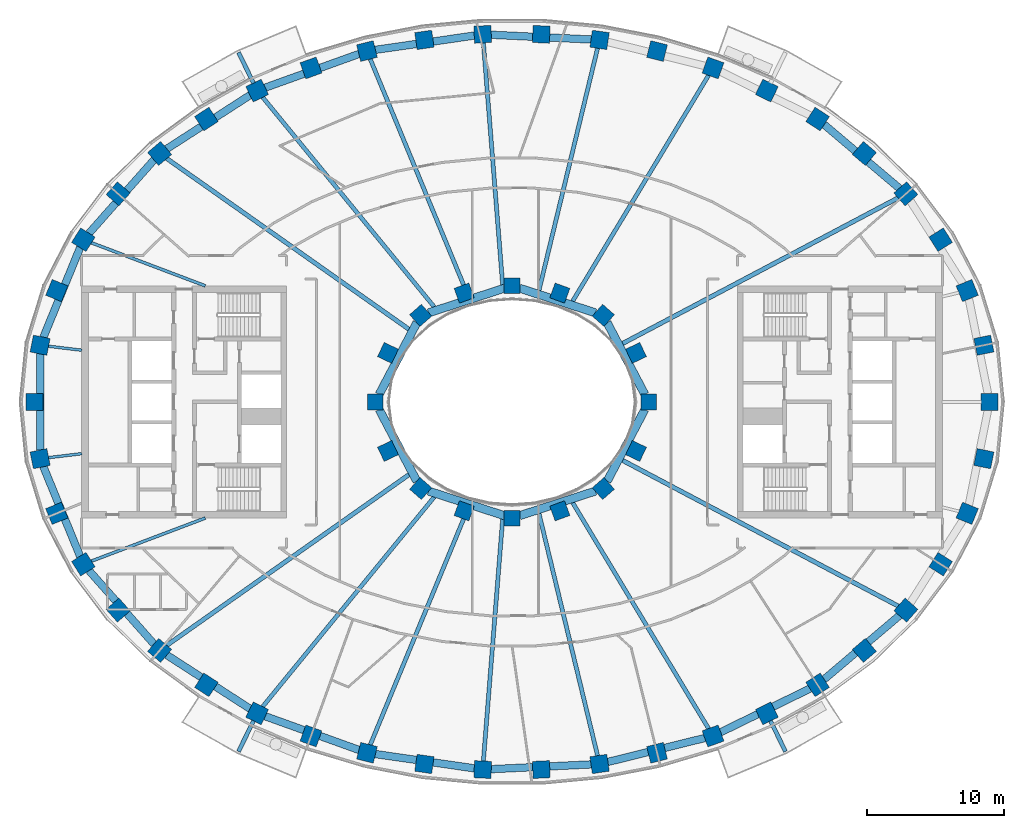
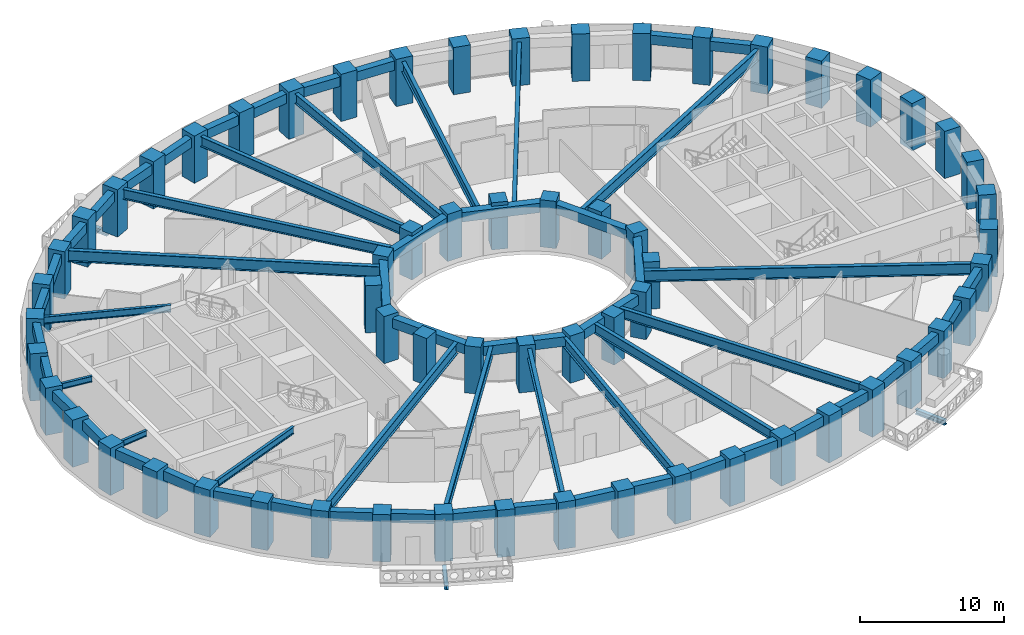
# One storey, part 1 of 16: 62 columns, 46 beams.
"""IFC4 building model written with IfcOpenShell, lengths in metres."""

from ifc_helpers import new_model, si_unit, direction, frame, origin, origin_2d, place, context, subcontext, project, spatial, rectangle, i_section, extrude, material, material_profile, profile_set, type_object, element, save


model = new_model("IFC4")

# Units and contexts
model_context = context("Model", 3, precision=1e-05, world=origin(), true_north=direction((0.0, 1.0)))
body_context = subcontext(model_context, "Body", "Model", "MODEL_VIEW")
ifc_project = project(units=[si_unit("LENGTHUNIT", "METRE"), si_unit("AREAUNIT", "SQUARE_METRE"), si_unit("VOLUMEUNIT", "CUBIC_METRE"), si_unit("PLANEANGLEUNIT", "RADIAN"), si_unit("MASSUNIT", "GRAM", prefix="KILO")], contexts=[model_context])

# Site, building, storey
site_placement = place(None, origin())
site = spatial("IfcSite", under=ifc_project, at=site_placement, CompositionType="ELEMENT")
building_placement = place(site_placement, origin())
building = spatial("IfcBuilding", under=site, at=building_placement, Name="Noorbagh Ring Tower", CompositionType="ELEMENT")
storey_placement = place(building_placement, frame((0.0, 0.0, 116.0)))
storey = spatial("IfcBuildingStorey", under=building, at=storey_placement, Name="L26", CompositionType="ELEMENT", Elevation=116.0)

# Columns
ifc_material_1 = material(Name="Concrete C60/75", Category="concrete")
ifc_material_profile_1 = material_profile(ifc_material_1, rectangle(XDim=1.25, YDim=1.25, at=origin_2d()), Name="RC1250x1250")
ifc_profile_set_1 = profile_set([ifc_material_profile_1], Name="Concrete C60/75")
column_type_1 = type_object("IfcColumnType", Name="STR-COL-RC1250x1250-C60-75", PredefinedType="COLUMN", material=ifc_profile_set_1)
for number, where, z_axis, x_axis, name in (
    (1, (34.944580078125, 0.0, 0.0), (0.0, 0.0, 1.0), (0.0, 1.0, 0.0), "L26/col/R1-01"),
    (2, (34.52685546875, 4.150634765625, 0.0), (0.0, 0.0, 1.0), (-0.19723040178, 0.9803571638, 0.0), "L26/col/R1-02"),
    (3, (33.30517578125, 8.1494140625, 0.0), (0.0, 0.0, 1.0), (-0.378989499959, 0.925400971969, 0.0), "L26/col/R1-03"),
    (4, (31.364990234375, 11.87109375, 0.0), (0.0, 0.0, 1.0), (-0.535190403059, 0.844731455833, 0.0), "L26/col/R1-04"),
    (5, (28.81884765625, 15.23046875, 0.0), (0.0, 0.0, 1.0), (-0.662635642662, 0.748941923699, 0.0), "L26/col/R1-05"),
    (6, (25.78271484375, 18.180419921875, 0.0), (0.0, 0.0, 1.0), (-0.763035199656, 0.646356932419, 0.0), "L26/col/R1-06"),
    (7, (22.362060546875, 20.699951171875, 0.0), (0.0, 0.0, 1.0), (-0.840247639643, 0.542202825586, 0.0), "L26/col/R1-07"),
    (8, (18.646240234375, 22.785400390625, 0.0), (0.0, 0.0, 1.0), (-0.898399080868, 0.439180021741, 0.0), "L26/col/R1-08"),
    (9, (14.70947265625, 24.44091796875, 0.0), (0.0, 0.0, 1.0), (-0.941024726094, 0.338337797003, 0.0), "L26/col/R1-09"),
    (10, (10.61328125, 25.673583984375, 0.0), (0.0, 0.0, 1.0), (-0.970829360981, 0.239771457553, 0.0), "L26/col/R1-10"),
    (11, (6.4091796875, 26.49072265625, 0.0), (0.0, 0.0, 1.0), (-0.989713114048, 0.143066249975, 0.0), "L26/col/R1-11"),
    (12, (2.14306640625, 26.89794921875, 0.0), (0.0, 0.0, 1.0), (-0.998868731212, 0.047552684538, 0.0), "L26/col/R1-12"),
    (13, (-2.14306640625, 26.89794921875, 0.0), (0.0, 0.0, 1.0), (-0.998868731212, -0.047552684538, 0.0), "L26/col/R1-13"),
    (14, (-6.4091796875, 26.49072265625, 0.0), (0.0, 0.0, 1.0), (-0.989713114048, -0.143066249975, 0.0), "L26/col/R1-14"),
    (15, (-10.61328125, 25.673583984375, 0.0), (0.0, 0.0, 1.0), (-0.970829360981, -0.239771457553, 0.0), "L26/col/R1-15"),
    (16, (-14.70947265625, 24.44091796875, 0.0), (0.0, 0.0, 1.0), (-0.941024726094, -0.338337797003, 0.0), "L26/col/R1-16"),
    (17, (-18.646240234375, 22.785400390625, 0.0), (0.0, 0.0, 1.0), (-0.898399080868, -0.439180021741, 0.0), "L26/col/R1-17"),
    (18, (-22.362060546875, 20.699951171875, 0.0), (0.0, 0.0, 1.0), (-0.840247639643, -0.542202825586, 0.0), "L26/col/R1-18"),
    (19, (-25.78271484375, 18.180419921875, 0.0), (0.0, 0.0, 1.0), (-0.763035199656, -0.646356932419, 0.0), "L26/col/R1-19"),
    (20, (-28.81884765625, 15.23046875, 0.0), (0.0, 0.0, 1.0), (-0.662635642662, -0.748941923699, 0.0), "L26/col/R1-20"),
    (21, (-31.364990234375, 11.87109375, 0.0), (0.0, 0.0, 1.0), (-0.535190403059, -0.844731455833, 0.0), "L26/col/R1-21"),
    (22, (-33.30517578125, 8.1494140625, 0.0), (0.0, 0.0, 1.0), (-0.378989499959, -0.925400971969, 0.0), "L26/col/R1-22"),
    (23, (-34.52685546875, 4.150634765625, 0.0), (0.0, 0.0, 1.0), (-0.19723040178, -0.9803571638, 0.0), "L26/col/R1-23"),
    (24, (-34.944580078125, 0.0, 0.0), (0.0, 0.0, 1.0), (0.0, -1.0, 0.0), "L26/col/R1-24"),
    (25, (-34.52685546875, -4.150634765625, 0.0), (0.0, 0.0, 1.0), (0.19723040178, -0.9803571638, 0.0), "L26/col/R1-25"),
    (26, (-33.30517578125, -8.1494140625, 0.0), (0.0, 0.0, 1.0), (0.378989499959, -0.925400971969, 0.0), "L26/col/R1-26"),
    (27, (-31.364990234375, -11.87109375, 0.0), (0.0, 0.0, 1.0), (0.535190403059, -0.844731455833, 0.0), "L26/col/R1-27"),
    (28, (-28.81884765625, -15.23046875, 0.0), (0.0, 0.0, 1.0), (0.662635642662, -0.748941923699, 0.0), "L26/col/R1-28"),
    (29, (-25.78271484375, -18.180419921875, 0.0), (0.0, 0.0, 1.0), (0.763035199656, -0.646356932419, 0.0), "L26/col/R1-29"),
    (30, (-22.362060546875, -20.699951171875, 0.0), (0.0, 0.0, 1.0), (0.840247639643, -0.542202825586, 0.0), "L26/col/R1-30"),
    (31, (-18.646240234375, -22.785400390625, 0.0), (0.0, 0.0, 1.0), (0.898399080868, -0.439180021741, 0.0), "L26/col/R1-31"),
    (32, (-14.70947265625, -24.44091796875, 0.0), (0.0, 0.0, 1.0), (0.941024726094, -0.338337797003, 0.0), "L26/col/R1-32"),
    (33, (-10.61328125, -25.673583984375, 0.0), (0.0, 0.0, 1.0), (0.970829360981, -0.239771457553, 0.0), "L26/col/R1-33"),
    (34, (-6.4091796875, -26.49072265625, 0.0), (0.0, 0.0, 1.0), (0.989713114048, -0.143066249975, 0.0), "L26/col/R1-34"),
    (35, (-2.14306640625, -26.89794921875, 0.0), (0.0, 0.0, 1.0), (0.998868731212, -0.047552684538, 0.0), "L26/col/R1-35"),
    (36, (2.14306640625, -26.89794921875, 0.0), (0.0, 0.0, 1.0), (0.998868731212, 0.047552684538, 0.0), "L26/col/R1-36"),
    (37, (6.4091796875, -26.49072265625, 0.0), (0.0, 0.0, 1.0), (0.989713114048, 0.143066249975, 0.0), "L26/col/R1-37"),
    (38, (10.61328125, -25.673583984375, 0.0), (0.0, 0.0, 1.0), (0.970829360981, 0.239771457553, 0.0), "L26/col/R1-38"),
    (39, (14.70947265625, -24.44091796875, 0.0), (0.0, 0.0, 1.0), (0.941024726094, 0.338337797003, 0.0), "L26/col/R1-39"),
    (40, (18.646240234375, -22.785400390625, 0.0), (0.0, 0.0, 1.0), (0.898399080868, 0.439180021741, 0.0), "L26/col/R1-40"),
    (41, (22.362060546875, -20.699951171875, 0.0), (0.0, 0.0, 1.0), (0.840247639643, 0.542202825586, 0.0), "L26/col/R1-41"),
    (42, (25.78271484375, -18.180419921875, 0.0), (0.0, 0.0, 1.0), (0.763035199656, 0.646356932419, 0.0), "L26/col/R1-42"),
    (43, (28.81884765625, -15.23046875, 0.0), (0.0, 0.0, 1.0), (0.662635642662, 0.748941923699, 0.0), "L26/col/R1-43"),
    (44, (31.364990234375, -11.87109375, 0.0), (0.0, 0.0, 1.0), (0.535190403059, 0.844731455833, 0.0), "L26/col/R1-44"),
    (45, (33.30517578125, -8.1494140625, 0.0), (0.0, 0.0, 1.0), (0.378989499959, 0.925400971969, 0.0), "L26/col/R1-45"),
    (46, (34.52685546875, -4.150634765625, 0.0), (0.0, 0.0, 1.0), (0.19723040178, 0.9803571638, 0.0), "L26/col/R1-46"),
):
    element("IfcColumn", number, at=place(storey_placement, frame(where, z_axis=z_axis, x_axis=x_axis)), inside=storey, type_object=column_type_1, Name=name, PredefinedType="COLUMN", context=body_context, shape_type="SweptSolid", body=[
        extrude(rectangle(XDim=1.25, YDim=1.25, at=origin_2d()), origin(), (0.0, 0.0, 1.0), 4.0),
    ])
ifc_material_2 = material(Name="Concrete C60/75", Category="concrete")
ifc_material_profile_2 = material_profile(ifc_material_2, rectangle(XDim=1.14990234375, YDim=1.14990234375, at=origin_2d()), Name="RC1150x1150")
ifc_profile_set_2 = profile_set([ifc_material_profile_2], Name="Concrete C60/75")
column_type_2 = type_object("IfcColumnType", Name="STR-ICOL-RC1150x1150-C60-75", PredefinedType="COLUMN", material=ifc_profile_set_2)
for number, where, z_axis, x_axis, name in (
    (47, (10.00830078125, 0.0, 0.0), (0.0, 0.0, 1.0), (0.0, 1.0, 0.0), "L26/col/IR2-W01"),
    (48, (9.07568359375, 3.58837890625, 0.0), (0.0, 0.0, 1.0), (-0.428666979171, 0.903462573087, 0.0), "L26/col/IR2-W03"),
    (49, (6.68212890625, 6.333740234375, 0.0), (0.0, 0.0, 1.0), (-0.75102249095, 0.660276622399, 0.0), "L26/col/IR2-W05"),
    (50, (3.5009765625, 7.967041015625, 0.0), (0.0, 0.0, 1.0), (-0.939019578916, 0.343863679984, 0.0), "L26/col/IR2-W07"),
    (51, (0.0, 8.5029296875, 0.0), (0.0, 0.0, 1.0), (-1.0, 0.0, 0.0), "L26/col/IR2-W09"),
    (52, (-3.5009765625, 7.967041015625, 0.0), (0.0, 0.0, 1.0), (-0.939019578916, -0.343863679984, 0.0), "L26/col/IR2-W11"),
    (53, (-6.68212890625, 6.333740234375, 0.0), (0.0, 0.0, 1.0), (-0.75102249095, -0.660276622399, 0.0), "L26/col/IR2-W13"),
    (54, (-9.07568359375, 3.58837890625, 0.0), (0.0, 0.0, 1.0), (-0.428666979171, -0.903462573087, 0.0), "L26/col/IR2-W15"),
    (55, (-10.00830078125, 0.0, 0.0), (0.0, 0.0, 1.0), (0.0, -1.0, 0.0), "L26/col/IR2-W17"),
    (56, (-9.07568359375, -3.58837890625, 0.0), (0.0, 0.0, 1.0), (0.428666979171, -0.903462573087, 0.0), "L26/col/IR2-W19"),
    (57, (-6.68212890625, -6.333740234375, 0.0), (0.0, 0.0, 1.0), (0.75102249095, -0.660276622399, 0.0), "L26/col/IR2-W21"),
    (58, (-3.5009765625, -7.967041015625, 0.0), (0.0, 0.0, 1.0), (0.939019578916, -0.343863679984, 0.0), "L26/col/IR2-W23"),
    (59, (0.0, -8.5029296875, 0.0), (0.0, 0.0, 1.0), (1.0, 0.0, 0.0), "L26/col/IR2-W25"),
    (60, (3.5009765625, -7.967041015625, 0.0), (0.0, 0.0, 1.0), (0.939019578916, 0.343863679984, 0.0), "L26/col/IR2-W27"),
    (61, (6.68212890625, -6.333740234375, 0.0), (0.0, 0.0, 1.0), (0.75102249095, 0.660276622399, 0.0), "L26/col/IR2-W29"),
    (62, (9.07568359375, -3.58837890625, 0.0), (0.0, 0.0, 1.0), (0.428666979171, 0.903462573087, 0.0), "L26/col/IR2-W31"),
):
    element("IfcColumn", number, at=place(storey_placement, frame(where, z_axis=z_axis, x_axis=x_axis)), inside=storey, type_object=column_type_2, Name=name, PredefinedType="COLUMN", context=body_context, shape_type="SweptSolid", body=[
        extrude(rectangle(XDim=1.14990234375, YDim=1.14990234375, at=origin_2d()), origin(), (0.0, 0.0, 1.0), 4.0),
    ])

# Beams
ifc_material_3 = material(Name="Steel S355", Category="steel")
ifc_material_profile_3 = material_profile(ifc_material_3, i_section(OverallWidth=0.300048828125, OverallDepth=0.39990234375, WebThickness=0.013427734375, FlangeThickness=0.02392578125, FilletRadius=0.027099609375, at=origin_2d()), Name="HEB400")
ifc_profile_set_3 = profile_set([ifc_material_profile_3], Name="Steel S355")
beam_type_1 = type_object("IfcBeamType", Name="STR-BALCONY-BRACKET-HEB400", PredefinedType="BEAM", material=ifc_profile_set_3)
for number, where, z_axis, x_axis, name in (
    (63, (-18.912109375, 23.328857421875, -0.5), (-0.439227645789, 0.898375798413, 0.0), (-0.898375798413, -0.439227645789, 0.0), "Balcony bracket beam BN05"),
    (64, (-18.912109375, -23.328857421875, -0.5), (-0.439227645789, -0.898375798413, 0.0), (0.898375798413, -0.439227645789, 0.0), "Balcony bracket beam BS02"),
    (65, (18.912109375, -23.328857421875, -0.5), (0.439227645789, -0.898375798413, 0.0), (0.898375798413, 0.439227645789, 0.0), "Balcony bracket beam BS05"),
):
    element("IfcBeam", number, at=place(storey_placement, frame(where, z_axis=z_axis, x_axis=x_axis)), inside=storey, type_object=beam_type_1, Name=name, PredefinedType="BEAM", context=body_context, shape_type="SweptSolid", body=[
        extrude(i_section(OverallWidth=0.300048828125, OverallDepth=0.39990234375, WebThickness=0.013427734375, FlangeThickness=0.02392578125, FilletRadius=0.027099609375, at=origin_2d()), origin(), (0.0, 0.0, 1.0), 2.500244140625),
    ])
ifc_material_4 = material(Name="Steel S355", Category="steel")
ifc_material_profile_4 = material_profile(ifc_material_4, i_section(OverallWidth=0.199951171875, OverallDepth=0.5, WebThickness=0.01025390625, FlangeThickness=0.01611328125, FilletRadius=0.02099609375, at=origin_2d()), Name="IPE500")
ifc_profile_set_4 = profile_set([ifc_material_profile_4], Name="Steel S355")
beam_type_2 = type_object("IfcBeamType", Name="STR-RAD-IPE500", PredefinedType="BEAM", material=ifc_profile_set_4)
for number, where, z_axis, x_axis, name in (
    (66, (-33.924072265625, 4.078125, 3.449951171875), (0.992855702759, -0.119321219822, 0.0), (0.119321219822, 0.992855702759, 0.0), "L26/bm/RD23"),
    (67, (-33.924072265625, -4.078125, 3.449951171875), (0.992855702759, 0.119321219822, 0.0), (-0.119321219822, 0.992855702759, 0.0), "L26/bm/RD25"),
):
    element("IfcBeam", number, at=place(storey_placement, frame(where, z_axis=z_axis, x_axis=x_axis)), inside=storey, type_object=beam_type_2, Name=name, PredefinedType="BEAM", context=body_context, shape_type="SweptSolid", body=[
        extrude(i_section(OverallWidth=0.199951171875, OverallDepth=0.5, WebThickness=0.01025390625, FlangeThickness=0.01611328125, FilletRadius=0.02099609375, at=origin_2d()), origin(), (0.0, 0.0, 1.0), 2.46142578125),
    ])
ifc_material_5 = material(Name="Steel S355", Category="steel")
ifc_material_profile_5 = material_profile(ifc_material_5, i_section(OverallWidth=0.219970703125, OverallDepth=0.60009765625, WebThickness=0.011962890625, FlangeThickness=0.01904296875, FilletRadius=0.02392578125, at=origin_2d()), Name="IPE600")
ifc_profile_set_5 = profile_set([ifc_material_profile_5], Name="Steel S355")
beam_type_3 = type_object("IfcBeamType", Name="STR-RAD-IPE600", PredefinedType="BEAM", material=ifc_profile_set_5)
for number, where, z_axis, x_axis, name in (
    (68, (-30.786865234375, 11.652099609375, 3.39990234375), (0.935256889456, -0.353969703117, 0.0), (0.353969703117, 0.935256889456, 0.0), "L26/bm/RD21"),
    (69, (-30.786865234375, -11.652099609375, 3.39990234375), (0.935256889456, 0.353969703117, 0.0), (-0.353969703117, 0.935256889456, 0.0), "L26/bm/RD27"),
):
    element("IfcBeam", number, at=place(storey_placement, frame(where, z_axis=z_axis, x_axis=x_axis)), inside=storey, type_object=beam_type_3, Name=name, PredefinedType="BEAM", context=body_context, shape_type="SweptSolid", body=[
        extrude(i_section(OverallWidth=0.219970703125, OverallDepth=0.60009765625, WebThickness=0.011962890625, FlangeThickness=0.01904296875, FilletRadius=0.02392578125, at=origin_2d()), origin(), (0.0, 0.0, 1.0), 8.925048828125),
    ])
ifc_material_6 = material(Name="Steel S355", Category="steel")
ifc_material_profile_6 = material_profile(ifc_material_6, i_section(OverallWidth=0.300048828125, OverallDepth=0.85009765625, WebThickness=0.013916015625, FlangeThickness=0.028076171875, at=origin_2d()), Name="PG850x300x14x28")
ifc_profile_set_6 = profile_set([ifc_material_profile_6], Name="Steel S355")
beam_type_4 = type_object("IfcBeamType", Name="STR-RAD-PG850x300x14x28", PredefinedType="BEAM", material=ifc_profile_set_6)
beam_1_placement = place(storey_placement, frame((14.39111328125, 23.912109375, 3.27490234375), z_axis=(-0.515649393851, -0.856799686403, 0.0), x_axis=(0.856799686403, -0.515649393851, 0.0)))
element("IfcBeam", 70, at=beam_1_placement, inside=storey, type_object=beam_type_4, Name="L26/bm/RD09", PredefinedType="BEAM", context=body_context, shape_type="SweptSolid", body=[
    extrude(i_section(OverallWidth=0.300048828125, OverallDepth=0.85009765625, WebThickness=0.013916015625, FlangeThickness=0.028076171875, at=origin_2d()), origin(), (0.0, 0.0, 1.0), 19.318603515625),
])
beam_2_placement = place(storey_placement, frame((6.266357421875, 25.900146484375, 3.27490234375), z_axis=(-0.235162116431, -0.971956161046, 0.0), x_axis=(0.971956161046, -0.235162116431, 0.0)))
element("IfcBeam", 71, at=beam_2_placement, inside=storey, type_object=beam_type_4, Name="L26/bm/RD11", PredefinedType="BEAM", context=body_context, shape_type="SweptSolid", body=[
    extrude(i_section(OverallWidth=0.300048828125, OverallDepth=0.85009765625, WebThickness=0.013916015625, FlangeThickness=0.028076171875, at=origin_2d()), origin(), (0.0, 0.0, 1.0), 18.25537109375),
])
beam_3_placement = place(storey_placement, frame((-2.09521484375, 26.294677734375, 3.27490234375), z_axis=(0.079430227558, -0.996840428027, 0.0), x_axis=(0.996840428027, 0.079430227558, 0.0)))
element("IfcBeam", 72, at=beam_3_placement, inside=storey, type_object=beam_type_4, Name="L26/bm/RD13", PredefinedType="BEAM", context=body_context, shape_type="SweptSolid", body=[
    extrude(i_section(OverallWidth=0.300048828125, OverallDepth=0.85009765625, WebThickness=0.013916015625, FlangeThickness=0.028076171875, at=origin_2d()), origin(), (0.0, 0.0, 1.0), 17.77490234375),
])
beam_4_placement = place(storey_placement, frame((-10.37939453125, 25.10791015625, 3.27490234375), z_axis=(0.382033251653, -0.924148578223, 0.0), x_axis=(0.924148578223, 0.382033251653, 0.0)))
element("IfcBeam", 73, at=beam_4_placement, inside=storey, type_object=beam_type_4, Name="L26/bm/RD15", PredefinedType="BEAM", context=body_context, shape_type="SweptSolid", body=[
    extrude(i_section(OverallWidth=0.300048828125, OverallDepth=0.85009765625, WebThickness=0.013916015625, FlangeThickness=0.028076171875, at=origin_2d()), origin(), (0.0, 0.0, 1.0), 18.775390625),
])
for number, where, z_axis, x_axis, name in (
    (74, (-18.252197265625, 22.303955078125, 3.27490234375), (0.633304807385, -0.773902462163, 0.0), (0.773902462163, 0.633304807385, 0.0), "L26/bm/RD17"),
    (75, (-18.252197265625, -22.303955078125, 3.27490234375), (0.633304807385, 0.773902462163, 0.0), (-0.773902462163, 0.633304807385, 0.0), "L26/bm/RD31"),
):
    element("IfcBeam", number, at=place(storey_placement, frame(where, z_axis=z_axis, x_axis=x_axis)), inside=storey, type_object=beam_type_4, Name=name, PredefinedType="BEAM", context=body_context, shape_type="SweptSolid", body=[
        extrude(i_section(OverallWidth=0.300048828125, OverallDepth=0.85009765625, WebThickness=0.013916015625, FlangeThickness=0.028076171875, at=origin_2d()), origin(), (0.0, 0.0, 1.0), 19.837158203125),
    ])
beam_5_placement = place(storey_placement, frame((-10.37939453125, -25.10791015625, 3.27490234375), z_axis=(0.382033251653, 0.924148578223, 0.0), x_axis=(-0.924148578223, 0.382033251653, 0.0)))
element("IfcBeam", 76, at=beam_5_placement, inside=storey, type_object=beam_type_4, Name="L26/bm/RD33", PredefinedType="BEAM", context=body_context, shape_type="SweptSolid", body=[
    extrude(i_section(OverallWidth=0.300048828125, OverallDepth=0.85009765625, WebThickness=0.013916015625, FlangeThickness=0.028076171875, at=origin_2d()), origin(), (0.0, 0.0, 1.0), 18.775390625),
])
beam_6_placement = place(storey_placement, frame((-2.09521484375, -26.294677734375, 3.27490234375), z_axis=(0.079430227558, 0.996840428027, 0.0), x_axis=(-0.996840428027, 0.079430227558, 0.0)))
element("IfcBeam", 77, at=beam_6_placement, inside=storey, type_object=beam_type_4, Name="L26/bm/RD35", PredefinedType="BEAM", context=body_context, shape_type="SweptSolid", body=[
    extrude(i_section(OverallWidth=0.300048828125, OverallDepth=0.85009765625, WebThickness=0.013916015625, FlangeThickness=0.028076171875, at=origin_2d()), origin(), (0.0, 0.0, 1.0), 17.77490234375),
])
beam_7_placement = place(storey_placement, frame((6.266357421875, -25.900146484375, 3.27490234375), z_axis=(-0.235162116431, 0.971956161046, 0.0), x_axis=(-0.971956161046, -0.235162116431, 0.0)))
element("IfcBeam", 78, at=beam_7_placement, inside=storey, type_object=beam_type_4, Name="L26/bm/RD37", PredefinedType="BEAM", context=body_context, shape_type="SweptSolid", body=[
    extrude(i_section(OverallWidth=0.300048828125, OverallDepth=0.85009765625, WebThickness=0.013916015625, FlangeThickness=0.028076171875, at=origin_2d()), origin(), (0.0, 0.0, 1.0), 18.25537109375),
])
beam_8_placement = place(storey_placement, frame((14.39111328125, -23.912109375, 3.27490234375), z_axis=(-0.515649393851, 0.856799686403, 0.0), x_axis=(-0.856799686403, -0.515649393851, 0.0)))
element("IfcBeam", 79, at=beam_8_placement, inside=storey, type_object=beam_type_4, Name="L26/bm/RD39", PredefinedType="BEAM", context=body_context, shape_type="SweptSolid", body=[
    extrude(i_section(OverallWidth=0.300048828125, OverallDepth=0.85009765625, WebThickness=0.013916015625, FlangeThickness=0.028076171875, at=origin_2d()), origin(), (0.0, 0.0, 1.0), 19.318603515625),
])
ifc_material_7 = material(Name="Steel S355", Category="steel")
ifc_material_profile_7 = material_profile(ifc_material_7, i_section(OverallWidth=0.320068359375, OverallDepth=0.949951171875, WebThickness=0.01611328125, FlangeThickness=0.030029296875, at=origin_2d()), Name="PG950x320x16x30")
ifc_profile_set_7 = profile_set([ifc_material_profile_7], Name="Steel S355")
beam_type_5 = type_object("IfcBeamType", Name="STR-RAD-PG950x320x16x30", PredefinedType="BEAM", material=ifc_profile_set_7)
beam_9_placement = place(storey_placement, frame((28.267822265625, 14.939453125, 3.22509765625), z_axis=(-0.884118542568, -0.467262669906, 0.0), x_axis=(0.467262669906, -0.884118542568, 0.0)))
element("IfcBeam", 80, at=beam_9_placement, inside=storey, type_object=beam_type_5, Name="L26/bm/RD05", PredefinedType="BEAM", context=body_context, shape_type="SweptSolid", body=[
    extrude(i_section(OverallWidth=0.320068359375, OverallDepth=0.949951171875, WebThickness=0.01611328125, FlangeThickness=0.030029296875, at=origin_2d()), origin(), (0.0, 0.0, 1.0), 22.831787109375),
])
for number, where, z_axis, x_axis, name in (
    (81, (-25.271484375, 17.81982421875, 3.22509765625), (0.817255824505, -0.57627503617, 0.0), (0.57627503617, 0.817255824505, 0.0), "L26/bm/RD19"),
    (82, (-25.271484375, -17.81982421875, 3.22509765625), (0.817255824505, 0.57627503617, 0.0), (-0.57627503617, 0.817255824505, 0.0), "L26/bm/RD29"),
):
    element("IfcBeam", number, at=place(storey_placement, frame(where, z_axis=z_axis, x_axis=x_axis)), inside=storey, type_object=beam_type_5, Name=name, PredefinedType="BEAM", context=body_context, shape_type="SweptSolid", body=[
        extrude(i_section(OverallWidth=0.320068359375, OverallDepth=0.949951171875, WebThickness=0.01611328125, FlangeThickness=0.030029296875, at=origin_2d()), origin(), (0.0, 0.0, 1.0), 21.702880859375),
    ])
beam_10_placement = place(storey_placement, frame((28.267822265625, -14.939453125, 3.22509765625), z_axis=(-0.884118542568, 0.467262669906, 0.0), x_axis=(-0.467262669906, -0.884118542568, 0.0)))
element("IfcBeam", 83, at=beam_10_placement, inside=storey, type_object=beam_type_5, Name="L26/bm/RD43", PredefinedType="BEAM", context=body_context, shape_type="SweptSolid", body=[
    extrude(i_section(OverallWidth=0.320068359375, OverallDepth=0.949951171875, WebThickness=0.01611328125, FlangeThickness=0.030029296875, at=origin_2d()), origin(), (0.0, 0.0, 1.0), 22.831787109375),
])
ifc_material_8 = material(Name="Concrete C40/50", Category="concrete")
ifc_material_profile_8 = material_profile(ifc_material_8, rectangle(XDim=0.60009765625, YDim=0.800048828125, at=origin_2d()), Name="RC600x800")
ifc_profile_set_8 = profile_set([ifc_material_profile_8], Name="Concrete C40/50")
beam_type_6 = type_object("IfcBeamType", Name="STR-RB-RC600x800-C40-50", PredefinedType="BEAM", material=ifc_profile_set_8)
beam_11_placement = place(storey_placement, frame((9.7158203125, 0.557373046875, 3.300048828125), z_axis=(-0.464946878947, 0.885338579165, 0.0), x_axis=(-0.885338579165, -0.464946878947, 0.0)))
element("IfcBeam", 84, at=beam_11_placement, inside=storey, type_object=beam_type_6, Name="L26/bm/RG01", PredefinedType="BEAM", context=body_context, shape_type="SweptSolid", body=[
    extrude(rectangle(XDim=0.60009765625, YDim=0.800048828125, at=origin_2d()), origin(), (0.0, 0.0, 1.0), 5.9287109375),
])
for number, where, z_axis, x_axis, name in (
    (85, (6.10546875, 6.52099609375, 3.300048828125), (-0.951151772647, 0.308723671576, 0.0), (-0.308723671576, -0.951151772647, 0.0), "L26/bm/RG03"),
    (86, (-0.555908203125, 8.322265625, 3.300048828125), (-0.951151772647, -0.308723671576, 0.0), (0.308723671576, -0.951151772647, 0.0), "L26/bm/RG05"),
):
    element("IfcBeam", number, at=place(storey_placement, frame(where, z_axis=z_axis, x_axis=x_axis)), inside=storey, type_object=beam_type_6, Name=name, PredefinedType="BEAM", context=body_context, shape_type="SweptSolid", body=[
        extrude(rectangle(XDim=0.60009765625, YDim=0.800048828125, at=origin_2d()), origin(), (0.0, 0.0, 1.0), 5.83447265625),
    ])
for number, where, z_axis, x_axis, name in (
    (87, (-6.959228515625, 5.806396484375, 3.300048828125), (-0.464946878947, -0.885338579165, 0.0), (0.885338579165, -0.464946878947, 0.0), "L26/bm/RG07"),
    (88, (-9.7158203125, -0.557373046875, 3.300048828125), (0.464946878947, -0.885338579165, 0.0), (0.885338579165, 0.464946878947, 0.0), "L26/bm/RG09"),
):
    element("IfcBeam", number, at=place(storey_placement, frame(where, z_axis=z_axis, x_axis=x_axis)), inside=storey, type_object=beam_type_6, Name=name, PredefinedType="BEAM", context=body_context, shape_type="SweptSolid", body=[
        extrude(rectangle(XDim=0.60009765625, YDim=0.800048828125, at=origin_2d()), origin(), (0.0, 0.0, 1.0), 5.9287109375),
    ])
for number, where, z_axis, x_axis, name in (
    (89, (-6.10546875, -6.52099609375, 3.300048828125), (0.951151772647, -0.308723671576, 0.0), (0.308723671576, 0.951151772647, 0.0), "L26/bm/RG11"),
    (90, (0.555908203125, -8.322265625, 3.300048828125), (0.951151772647, 0.308723671576, 0.0), (-0.308723671576, 0.951151772647, 0.0), "L26/bm/RG13"),
):
    element("IfcBeam", number, at=place(storey_placement, frame(where, z_axis=z_axis, x_axis=x_axis)), inside=storey, type_object=beam_type_6, Name=name, PredefinedType="BEAM", context=body_context, shape_type="SweptSolid", body=[
        extrude(rectangle(XDim=0.60009765625, YDim=0.800048828125, at=origin_2d()), origin(), (0.0, 0.0, 1.0), 5.83447265625),
    ])
beam_12_placement = place(storey_placement, frame((6.959228515625, -5.806396484375, 3.300048828125), z_axis=(0.464946878947, 0.885338579165, 0.0), x_axis=(-0.885338579165, 0.464946878947, 0.0)))
element("IfcBeam", 91, at=beam_12_placement, inside=storey, type_object=beam_type_6, Name="L26/bm/RG15", PredefinedType="BEAM", context=body_context, shape_type="SweptSolid", body=[
    extrude(rectangle(XDim=0.60009765625, YDim=0.800048828125, at=origin_2d()), origin(), (0.0, 0.0, 1.0), 5.9287109375),
])
ifc_material_9 = material(Name="Concrete C40/50", Category="concrete")
ifc_material_profile_9 = material_profile(ifc_material_9, rectangle(XDim=0.550048828125, YDim=0.800048828125, at=origin_2d()), Name="RC550x800")
ifc_profile_set_9 = profile_set([ifc_material_profile_9], Name="Concrete C40/50")
beam_type_7 = type_object("IfcBeamType", Name="STR-SB-RC550x800-C40-50", PredefinedType="BEAM", material=ifc_profile_set_9)
beam_13_placement = place(storey_placement, frame((28.352294921875, 15.625732421875, 3.300048828125), z_axis=(-0.76304723731, 0.646342721498, 0.0), x_axis=(-0.646342721498, -0.76304723731, 0.0)))
element("IfcBeam", 92, at=beam_13_placement, inside=storey, type_object=beam_type_7, Name="L26/bm/SP05", PredefinedType="BEAM", context=body_context, shape_type="SweptSolid", body=[
    extrude(rectangle(XDim=0.550048828125, YDim=0.800048828125, at=origin_2d()), origin(), (0.0, 0.0, 1.0), 7.240234375),
])
beam_14_placement = place(storey_placement, frame((5.802001953125, 26.519775390625, 3.300048828125), z_axis=(-0.998868588799, 0.047555675902, 0.0), x_axis=(-0.047555675902, -0.998868588799, 0.0)))
element("IfcBeam", 93, at=beam_14_placement, inside=storey, type_object=beam_type_7, Name="L26/bm/SP11", PredefinedType="BEAM", context=body_context, shape_type="SweptSolid", body=[
    extrude(rectangle(XDim=0.550048828125, YDim=0.800048828125, at=origin_2d()), origin(), (0.0, 0.0, 1.0), 7.346435546875),
])
beam_15_placement = place(storey_placement, frame((-2.744873046875, 26.81103515625, 3.300048828125), z_axis=(-0.989710679794, -0.143083088804, 0.0), x_axis=(0.143083088804, -0.989710679794, 0.0)))
element("IfcBeam", 94, at=beam_15_placement, inside=storey, type_object=beam_type_7, Name="L26/bm/SP13", PredefinedType="BEAM", context=body_context, shape_type="SweptSolid", body=[
    extrude(rectangle(XDim=0.550048828125, YDim=0.800048828125, at=origin_2d()), origin(), (0.0, 0.0, 1.0), 7.342041015625),
])
beam_16_placement = place(storey_placement, frame((-11.185546875, 25.4677734375, 3.300048828125), z_axis=(-0.941032743566, -0.33831549704, 0.0), x_axis=(0.33831549704, -0.941032743566, 0.0)))
element("IfcBeam", 95, at=beam_16_placement, inside=storey, type_object=beam_type_7, Name="L26/bm/SP15", PredefinedType="BEAM", context=body_context, shape_type="SweptSolid", body=[
    extrude(rectangle(XDim=0.550048828125, YDim=0.800048828125, at=origin_2d()), origin(), (0.0, 0.0, 1.0), 7.319580078125),
])
beam_17_placement = place(storey_placement, frame((-19.158447265625, 22.455078125, 3.300048828125), z_axis=(-0.840240413794, -0.542214023267, 0.0), x_axis=(0.542214023267, -0.840240413794, 0.0)))
element("IfcBeam", 96, at=beam_17_placement, inside=storey, type_object=beam_type_7, Name="L26/bm/SP17", PredefinedType="BEAM", context=body_context, shape_type="SweptSolid", body=[
    extrude(rectangle(XDim=0.550048828125, YDim=0.800048828125, at=origin_2d()), origin(), (0.0, 0.0, 1.0), 7.273681640625),
])
beam_18_placement = place(storey_placement, frame((-26.18798828125, 17.722412109375, 3.300048828125), z_axis=(-0.662621438295, -0.748954490948, 0.0), x_axis=(0.748954490948, -0.662621438295, 0.0)))
element("IfcBeam", 97, at=beam_18_placement, inside=storey, type_object=beam_type_7, Name="L26/bm/SP19", PredefinedType="BEAM", context=body_context, shape_type="SweptSolid", body=[
    extrude(rectangle(XDim=0.550048828125, YDim=0.800048828125, at=origin_2d()), origin(), (0.0, 0.0, 1.0), 7.19970703125),
])
beam_19_placement = place(storey_placement, frame((-31.597900390625, 11.302001953125, 3.300048828125), z_axis=(-0.379013796153, -0.925391021313, 0.0), x_axis=(0.925391021313, -0.379013796153, 0.0)))
element("IfcBeam", 98, at=beam_19_placement, inside=storey, type_object=beam_type_7, Name="L26/bm/SP21", PredefinedType="BEAM", context=body_context, shape_type="SweptSolid", body=[
    extrude(rectangle(XDim=0.550048828125, YDim=0.800048828125, at=origin_2d()), origin(), (0.0, 0.0, 1.0), 7.111328125),
])
beam_20_placement = place(storey_placement, frame((-34.52685546875, 3.533203125, 3.300048828125), z_axis=(0.0, -1.0, 0.0), x_axis=(1.0, 0.0, 0.0)))
element("IfcBeam", 99, at=beam_20_placement, inside=storey, type_object=beam_type_7, Name="L26/bm/SP23", PredefinedType="BEAM", context=body_context, shape_type="SweptSolid", body=[
    extrude(rectangle(XDim=0.550048828125, YDim=0.800048828125, at=origin_2d()), origin(), (0.0, 0.0, 1.0), 7.06640625),
])
beam_21_placement = place(storey_placement, frame((-34.293212890625, -4.72119140625, 3.300048828125), z_axis=(0.379013796153, -0.925391021313, 0.0), x_axis=(0.925391021313, 0.379013796153, 0.0)))
element("IfcBeam", 100, at=beam_21_placement, inside=storey, type_object=beam_type_7, Name="L26/bm/SP25", PredefinedType="BEAM", context=body_context, shape_type="SweptSolid", body=[
    extrude(rectangle(XDim=0.550048828125, YDim=0.800048828125, at=origin_2d()), origin(), (0.0, 0.0, 1.0), 7.111328125),
])
beam_22_placement = place(storey_placement, frame((-30.958740234375, -12.330078125, 3.300048828125), z_axis=(0.662621438295, -0.748954490948, 0.0), x_axis=(0.748954490948, 0.662621438295, 0.0)))
element("IfcBeam", 101, at=beam_22_placement, inside=storey, type_object=beam_type_7, Name="L26/bm/SP27", PredefinedType="BEAM", context=body_context, shape_type="SweptSolid", body=[
    extrude(rectangle(XDim=0.550048828125, YDim=0.800048828125, at=origin_2d()), origin(), (0.0, 0.0, 1.0), 7.19970703125),
])
beam_23_placement = place(storey_placement, frame((-25.27001953125, -18.51123046875, 3.300048828125), z_axis=(0.840240413794, -0.542214023267, 0.0), x_axis=(0.542214023267, 0.840240413794, 0.0)))
element("IfcBeam", 102, at=beam_23_placement, inside=storey, type_object=beam_type_7, Name="L26/bm/SP29", PredefinedType="BEAM", context=body_context, shape_type="SweptSolid", body=[
    extrude(rectangle(XDim=0.550048828125, YDim=0.800048828125, at=origin_2d()), origin(), (0.0, 0.0, 1.0), 7.273681640625),
])
beam_24_placement = place(storey_placement, frame((-18.073486328125, -22.991455078125, 3.300048828125), z_axis=(0.941032743566, -0.33831549704, 0.0), x_axis=(0.33831549704, 0.941032743566, 0.0)))
element("IfcBeam", 103, at=beam_24_placement, inside=storey, type_object=beam_type_7, Name="L26/bm/SP31", PredefinedType="BEAM", context=body_context, shape_type="SweptSolid", body=[
    extrude(rectangle(XDim=0.550048828125, YDim=0.800048828125, at=origin_2d()), origin(), (0.0, 0.0, 1.0), 7.319580078125),
])
beam_25_placement = place(storey_placement, frame((-10.011474609375, -25.760498046875, 3.300048828125), z_axis=(0.989710679794, -0.143083088804, 0.0), x_axis=(0.143083088804, 0.989710679794, 0.0)))
element("IfcBeam", 104, at=beam_25_placement, inside=storey, type_object=beam_type_7, Name="L26/bm/SP33", PredefinedType="BEAM", context=body_context, shape_type="SweptSolid", body=[
    extrude(rectangle(XDim=0.550048828125, YDim=0.800048828125, at=origin_2d()), origin(), (0.0, 0.0, 1.0), 7.342041015625),
])
beam_26_placement = place(storey_placement, frame((-1.5361328125, -26.869140625, 3.300048828125), z_axis=(0.998868588799, 0.047555675902, 0.0), x_axis=(-0.047555675902, 0.998868588799, 0.0)))
element("IfcBeam", 105, at=beam_26_placement, inside=storey, type_object=beam_type_7, Name="L26/bm/SP35", PredefinedType="BEAM", context=body_context, shape_type="SweptSolid", body=[
    extrude(rectangle(XDim=0.550048828125, YDim=0.800048828125, at=origin_2d()), origin(), (0.0, 0.0, 1.0), 7.346435546875),
])
beam_27_placement = place(storey_placement, frame((6.99951171875, -26.344970703125, 3.300048828125), z_axis=(0.970829859213, 0.239769440213, 0.0), x_axis=(-0.239769440213, 0.970829859213, 0.0)))
element("IfcBeam", 106, at=beam_27_placement, inside=storey, type_object=beam_type_7, Name="L26/bm/SP37", PredefinedType="BEAM", context=body_context, shape_type="SweptSolid", body=[
    extrude(rectangle(XDim=0.550048828125, YDim=0.800048828125, at=origin_2d()), origin(), (0.0, 0.0, 1.0), 7.333251953125),
])
beam_28_placement = place(storey_placement, frame((15.25634765625, -24.173583984375, 3.300048828125), z_axis=(0.898391398986, 0.439195735667, 0.0), x_axis=(-0.439195735667, 0.898391398986, 0.0)))
element("IfcBeam", 107, at=beam_28_placement, inside=storey, type_object=beam_type_7, Name="L26/bm/SP39", PredefinedType="BEAM", context=body_context, shape_type="SweptSolid", body=[
    extrude(rectangle(XDim=0.550048828125, YDim=0.800048828125, at=origin_2d()), origin(), (0.0, 0.0, 1.0), 7.2998046875),
])
beam_29_placement = place(storey_placement, frame((22.82763671875, -20.305419921875, 3.300048828125), z_axis=(0.76304723731, 0.646342721498, 0.0), x_axis=(-0.646342721498, 0.76304723731, 0.0)))
element("IfcBeam", 108, at=beam_29_placement, inside=storey, type_object=beam_type_7, Name="L26/bm/SP41", PredefinedType="BEAM", context=body_context, shape_type="SweptSolid", body=[
    extrude(rectangle(XDim=0.550048828125, YDim=0.800048828125, at=origin_2d()), origin(), (0.0, 0.0, 1.0), 7.240234375),
])

save(model, "model.ifc")
